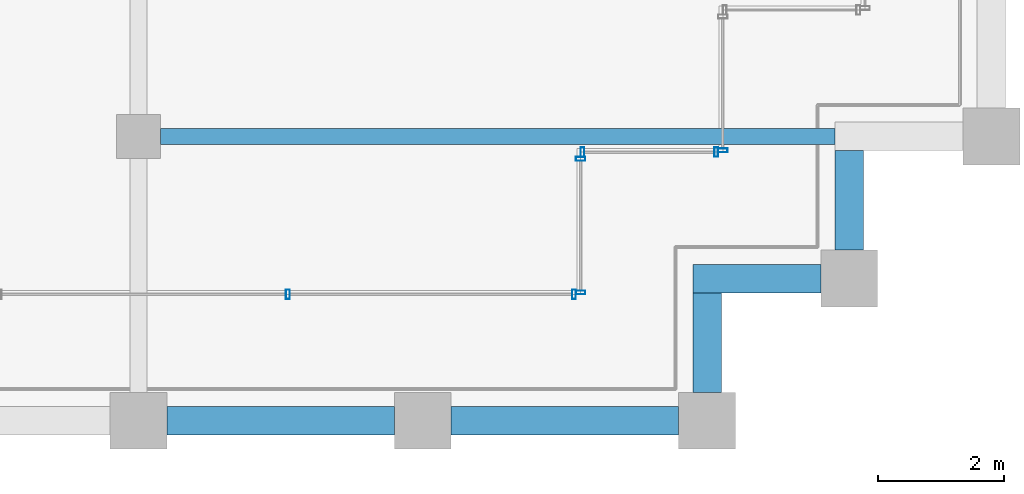
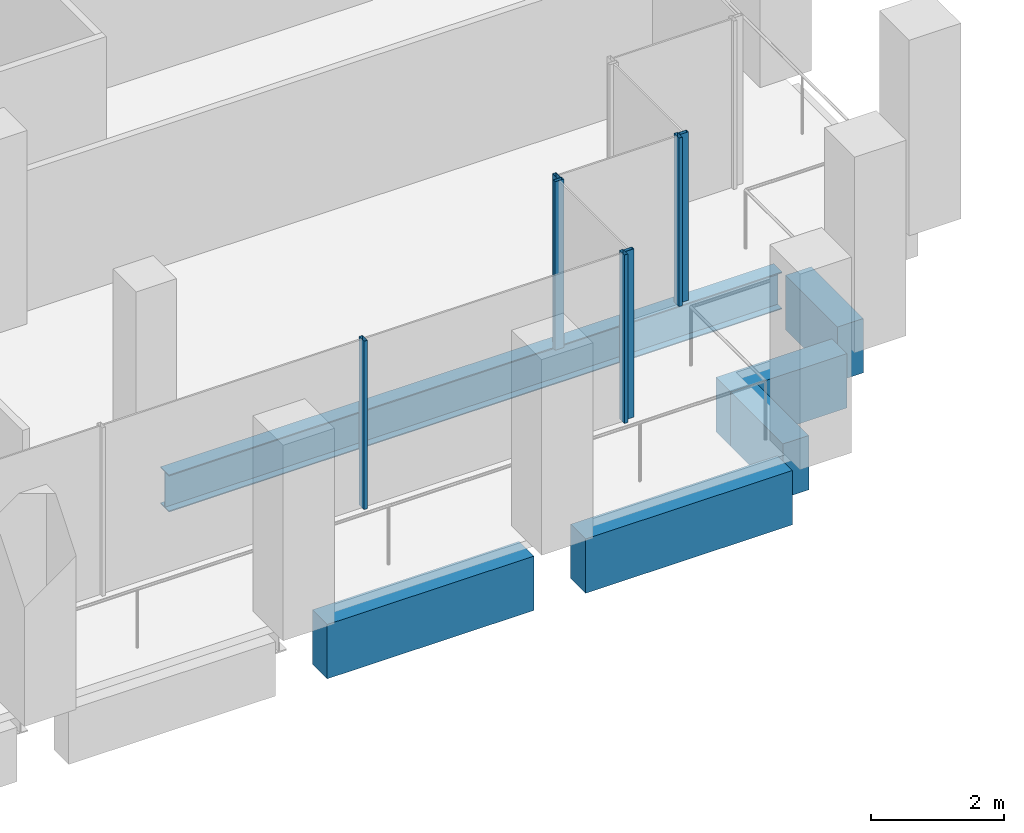
# One storey, part 12 of 40: 7 members, 6 beams, 4 elements without a shape of their own.
"""IFC4 building model written with IfcOpenShell, lengths in metres."""

from ifc_helpers import new_model, si_unit, direction, frame, origin, origin_2d, place, context, subcontext, project, spatial, rectangle, hollow_rectangle, i_section, extrude, material, material_profile, profile_set, type_object, element, aggregate, save


model = new_model("IFC4")

# Units and contexts
model_context = context("Model", 3, precision=1e-05, world=origin(), true_north=direction((0.0, 1.0)))
body_context = subcontext(model_context, "Body", "Model", "MODEL_VIEW")
ifc_project = project(units=[si_unit("LENGTHUNIT", "METRE"), si_unit("AREAUNIT", "SQUARE_METRE"), si_unit("VOLUMEUNIT", "CUBIC_METRE"), si_unit("PLANEANGLEUNIT", "RADIAN"), si_unit("MASSUNIT", "GRAM", prefix="KILO")], contexts=[model_context])

# Site, building, storey
site_placement = place(None, origin())
site = spatial("IfcSite", under=ifc_project, at=site_placement, CompositionType="ELEMENT")
building_placement = place(site_placement, origin())
building = spatial("IfcBuilding", under=site, at=building_placement, Name="Altepetl Exchange Towers", CompositionType="ELEMENT")
storey_placement = place(building_placement, frame((0.0, 0.0, 187.0)))
storey = spatial("IfcBuildingStorey", under=building, at=storey_placement, Name="L47", CompositionType="ELEMENT", Elevation=187.0)

# Beam
ifc_material_1 = material(Name="Steel S355", Category="steel")
ifc_material_profile_1 = material_profile(ifc_material_1, i_section(OverallWidth=0.25390625, OverallDepth=0.68408203125, WebThickness=0.012451171875, FlangeThickness=0.018798828125, at=origin_2d()), Name="W27X94")
ifc_profile_set_1 = profile_set([ifc_material_profile_1], Name="Steel S355")
beam_type_1 = type_object("IfcBeamType", Name="Floor beam W27X94", PredefinedType="BEAM", material=ifc_profile_set_1)
beam_1_placement = place(storey_placement, frame((58.85009765625, 31.5, -0.491943359375), z_axis=(1.0, 0.0, 0.0), x_axis=(0.0, 1.0, 0.0)))
element("IfcBeam", 1, at=beam_1_placement, inside=storey, type_object=beam_type_1, Name="bm:A:L47:006", PredefinedType="BEAM", context=body_context, shape_type="SweptSolid", body=[
    extrude(i_section(OverallWidth=0.25390625, OverallDepth=0.68408203125, WebThickness=0.012451171875, FlangeThickness=0.018798828125, at=origin_2d()), origin(), (0.0, 0.0, 1.0), 10.6748046875),
])

# Curtain wall, members
ifc_material_2 = material(Name="Aluminium 6063-T6 glazing", Category="aluminium")
curtain_wall_type = type_object("IfcCurtainWallType", Name="Loggia glazing system", PredefinedType="NOTDEFINED", material=ifc_material_2)
curtain_wall_1_placement = place(storey_placement, origin())
curtain_wall_1 = element("IfcCurtainWall", 2, at=curtain_wall_1_placement, inside=storey, type_object=curtain_wall_type, Name="CW1 run", PredefinedType="NOTDEFINED")
ifc_material_3 = material(Name="Aluminium 6063-T6", Category="aluminium")
ifc_material_profile_2 = material_profile(ifc_material_3, hollow_rectangle(XDim=0.06005859375, YDim=0.14990234375, WallThickness=0.0029296875, at=origin_2d()), Name="Mullion 60x150 aluminium")
ifc_profile_set_2 = profile_set([ifc_material_profile_2], Name="Aluminium 6063-T6")
member_type = type_object("IfcMemberType", Name="Mullion 60x150 aluminium", PredefinedType="MULLION", material=ifc_profile_set_2)
member_1_placement = place(storey_placement, frame((60.8642578125, 29.0, 0.0)))
member_1 = element("IfcMember", 3, at=member_1_placement, type_object=member_type, Name="MU1 mullion", PredefinedType="MULLION", context=body_context, shape_type="SweptSolid", body=[
    extrude(hollow_rectangle(XDim=0.06005859375, YDim=0.14990234375, WallThickness=0.0029296875, at=origin_2d()), origin(), (0.0, 0.0, 1.0), 3.10009765625),
])
member_2_placement = place(storey_placement, frame((65.39501953125, 29.0, 0.0)))
member_2 = element("IfcMember", 4, at=member_2_placement, type_object=member_type, Name="MU1 mullion", PredefinedType="MULLION", context=body_context, shape_type="SweptSolid", body=[
    extrude(hollow_rectangle(XDim=0.06005859375, YDim=0.14990234375, WallThickness=0.0029296875, at=origin_2d()), origin(), (0.0, 0.0, 1.0), 3.10009765625),
])
aggregate(curtain_wall_1, [member_1, member_2])

curtain_wall_2_placement = place(storey_placement, origin())
curtain_wall_2 = element("IfcCurtainWall", 5, at=curtain_wall_2_placement, inside=storey, type_object=curtain_wall_type, Name="CW1 run", PredefinedType="NOTDEFINED")
member_3_placement = place(storey_placement, frame((65.5, 29.030029296875, 0.0), z_axis=(0.0, 0.0, 1.0), x_axis=(0.0, 1.0, 0.0)))
member_3 = element("IfcMember", 6, at=member_3_placement, type_object=member_type, Name="MU1 mullion", PredefinedType="MULLION", context=body_context, shape_type="SweptSolid", body=[
    extrude(hollow_rectangle(XDim=0.06005859375, YDim=0.14990234375, WallThickness=0.0029296875, at=origin_2d()), origin(), (0.0, 0.0, 1.0), 3.10009765625),
])
member_4_placement = place(storey_placement, frame((65.5, 31.14501953125, 0.0), z_axis=(0.0, 0.0, 1.0), x_axis=(0.0, 1.0, 0.0)))
member_4 = element("IfcMember", 7, at=member_4_placement, type_object=member_type, Name="MU1 mullion", PredefinedType="MULLION", context=body_context, shape_type="SweptSolid", body=[
    extrude(hollow_rectangle(XDim=0.06005859375, YDim=0.14990234375, WallThickness=0.0029296875, at=origin_2d()), origin(), (0.0, 0.0, 1.0), 3.10009765625),
])
aggregate(curtain_wall_2, [member_3, member_4])

curtain_wall_3_placement = place(storey_placement, origin())
curtain_wall_3 = element("IfcCurtainWall", 8, at=curtain_wall_3_placement, inside=storey, type_object=curtain_wall_type, Name="CW1 run", PredefinedType="NOTDEFINED")
member_5_placement = place(storey_placement, frame((65.530029296875, 31.25, 0.0)))
member_5 = element("IfcMember", 9, at=member_5_placement, type_object=member_type, Name="MU1 mullion", PredefinedType="MULLION", context=body_context, shape_type="SweptSolid", body=[
    extrude(hollow_rectangle(XDim=0.06005859375, YDim=0.14990234375, WallThickness=0.0029296875, at=origin_2d()), origin(), (0.0, 0.0, 1.0), 3.10009765625),
])
member_6_placement = place(storey_placement, frame((67.64501953125, 31.25, 0.0)))
member_6 = element("IfcMember", 10, at=member_6_placement, type_object=member_type, Name="MU1 mullion", PredefinedType="MULLION", context=body_context, shape_type="SweptSolid", body=[
    extrude(hollow_rectangle(XDim=0.06005859375, YDim=0.14990234375, WallThickness=0.0029296875, at=origin_2d()), origin(), (0.0, 0.0, 1.0), 3.10009765625),
])
aggregate(curtain_wall_3, [member_5, member_6])

# Curtain wall, member
curtain_wall_4_placement = place(storey_placement, origin())
curtain_wall_4 = element("IfcCurtainWall", 11, at=curtain_wall_4_placement, inside=storey, type_object=curtain_wall_type, Name="CW1 run", PredefinedType="NOTDEFINED")
member_7_placement = place(storey_placement, frame((67.75, 31.280029296875, 0.0), z_axis=(0.0, 0.0, 1.0), x_axis=(0.0, 1.0, 0.0)))
member_7 = element("IfcMember", 12, at=member_7_placement, type_object=member_type, Name="MU1 mullion", PredefinedType="MULLION", context=body_context, shape_type="SweptSolid", body=[
    extrude(hollow_rectangle(XDim=0.06005859375, YDim=0.14990234375, WallThickness=0.0029296875, at=origin_2d()), origin(), (0.0, 0.0, 1.0), 3.10009765625),
])
aggregate(curtain_wall_4, [member_7])

# Beams
ifc_material_4 = material(Name="Concrete C50/60 precast with cantera amarilla facing", Category="concrete")
ifc_material_profile_3 = material_profile(ifc_material_4, rectangle(XDim=0.449951171875, YDim=1.0, at=origin_2d()), Name="450 x 1000")
ifc_profile_set_3 = profile_set([ifc_material_profile_3], Name="Concrete C50/60 precast with cantera amarilla facing")
beam_type_2 = type_object("IfcBeamType", Name="Spandrel beam 450x1000 cantera amarilla", PredefinedType="SPANDREL", material=ifc_profile_set_3)
for number, where, z_axis, x_axis, name in (
    (13, (58.949951171875, 27.0, -0.64990234375), (1.0, 0.0, 0.0), (0.0, 1.0, 0.0), "sp:A:L47:006"),
    (14, (63.449951171875, 27.0, -0.64990234375), (1.0, 0.0, 0.0), (0.0, 1.0, 0.0), "sp:A:L47:007"),
):
    element("IfcBeam", number, at=place(storey_placement, frame(where, z_axis=z_axis, x_axis=x_axis)), inside=storey, type_object=beam_type_2, Name=name, PredefinedType="SPANDREL", context=body_context, shape_type="SweptSolid", body=[
        extrude(rectangle(XDim=0.449951171875, YDim=1.0, at=origin_2d()), origin(), (0.0, 0.0, 1.0), 3.60009765625),
    ])
beam_2_placement = place(storey_placement, frame((67.5, 27.449951171875, -0.64990234375), z_axis=(0.0, 1.0, 0.0), x_axis=(-1.0, 0.0, 0.0)))
element("IfcBeam", 15, at=beam_2_placement, inside=storey, type_object=beam_type_2, Name="sp:A:L47:008", PredefinedType="SPANDREL", context=body_context, shape_type="SweptSolid", body=[
    extrude(rectangle(XDim=0.449951171875, YDim=1.0, at=origin_2d()), origin(), (0.0, 0.0, 1.0), 1.574951171875),
])
beam_3_placement = place(storey_placement, frame((67.27490234375, 29.25, -0.64990234375), z_axis=(1.0, 0.0, 0.0), x_axis=(0.0, 1.0, 0.0)))
element("IfcBeam", 16, at=beam_3_placement, inside=storey, type_object=beam_type_2, Name="sp:A:L47:009", PredefinedType="SPANDREL", context=body_context, shape_type="SweptSolid", body=[
    extrude(rectangle(XDim=0.449951171875, YDim=1.0, at=origin_2d()), origin(), (0.0, 0.0, 1.0), 2.025146484375),
])
beam_4_placement = place(storey_placement, frame((69.75, 29.699951171875, -0.64990234375), z_axis=(0.0, 1.0, 0.0), x_axis=(-1.0, 0.0, 0.0)))
element("IfcBeam", 17, at=beam_4_placement, inside=storey, type_object=beam_type_2, Name="sp:A:L47:010", PredefinedType="SPANDREL", context=body_context, shape_type="SweptSolid", body=[
    extrude(rectangle(XDim=0.449951171875, YDim=1.0, at=origin_2d()), origin(), (0.0, 0.0, 1.0), 1.574951171875),
])

save(model, "model.ifc")
